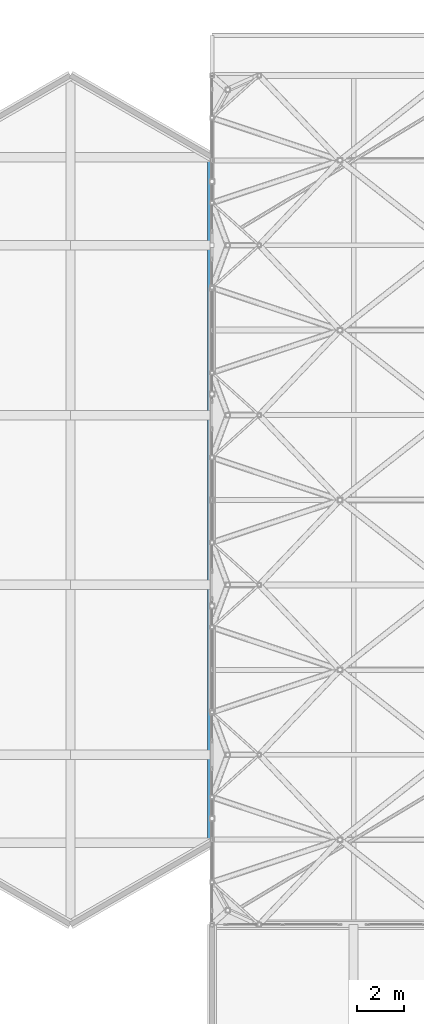
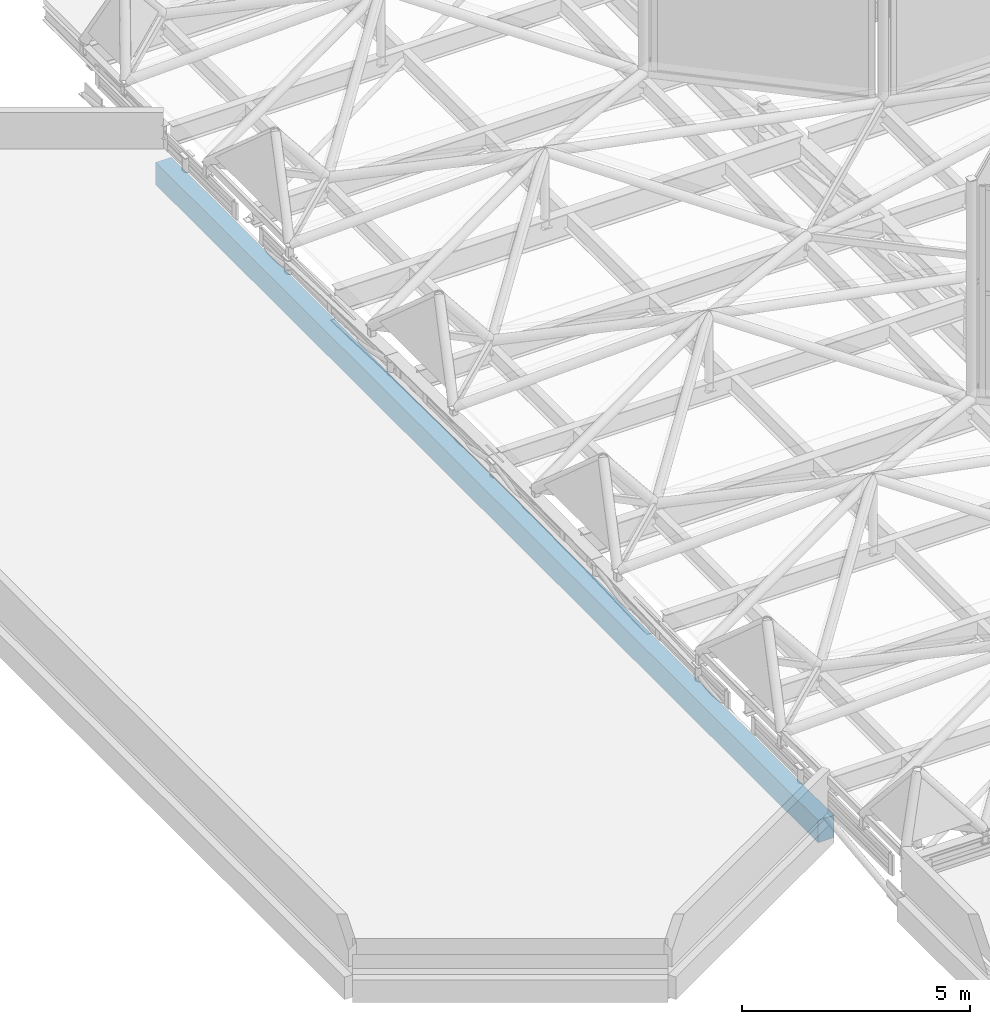
# One storey, part 52 of 239: 1 beam.
"""IFC4 building model written with IfcOpenShell, lengths in metres."""

from ifc_helpers import new_model, si_unit, direction, frame, origin, origin_2d, place, context, subcontext, project, spatial, rectangle, extrude, material, material_profile, profile_set, type_object, element, save


model = new_model("IFC4")

# Units and contexts
model_context = context("Model", 3, precision=1e-05, world=origin(), true_north=direction((0.0, 1.0)))
body_context = subcontext(model_context, "Body", "Model", "MODEL_VIEW")
ifc_project = project(units=[si_unit("LENGTHUNIT", "METRE"), si_unit("AREAUNIT", "SQUARE_METRE"), si_unit("VOLUMEUNIT", "CUBIC_METRE"), si_unit("PLANEANGLEUNIT", "RADIAN"), si_unit("MASSUNIT", "GRAM", prefix="KILO")], contexts=[model_context])

# Site, building, storey
site_placement = place(None, origin())
site = spatial("IfcSite", under=ifc_project, at=site_placement, CompositionType="ELEMENT")
building_placement = place(site_placement, origin())
building = spatial("IfcBuilding", under=site, at=building_placement, Name="Dunvalen Ferry Terminal", CompositionType="ELEMENT")
storey_placement = place(building_placement, frame((0.0, 0.0, 9.840087890625)))
storey = spatial("IfcBuildingStorey", under=building, at=storey_placement, Name="L02", CompositionType="ELEMENT", Elevation=9.840087890625)

# Beam
ifc_material = material(Name="Concrete C35/45", Category="concrete")
ifc_material_profile = material_profile(ifc_material, rectangle(XDim=0.39990234375, YDim=0.60009765625, at=origin_2d()), Name="Concrete C35/45")
ifc_profile_set = profile_set([ifc_material_profile], Name="Concrete C35/45")
beam_type = type_object("IfcBeamType", Name="STR-BM-RCB600", PredefinedType="BEAM", material=ifc_profile_set)
beam_placement = place(storey_placement, frame((12.0, 53.864013671875, -0.300048828125), z_axis=(0.0, 1.0, 0.0), x_axis=(-1.0, 0.0, 0.0)))
element("IfcBeam", 1, at=beam_placement, inside=storey, type_object=beam_type, Name="L02 West Baggage Annex Ring Beam 02", PredefinedType="BEAM", context=body_context, shape_type="SweptSolid", body=[
    extrude(rectangle(XDim=0.39990234375, YDim=0.60009765625, at=origin_2d()), origin(), (0.0, 0.0, 1.0), 29.072021484375),
])

save(model, "model.ifc")
